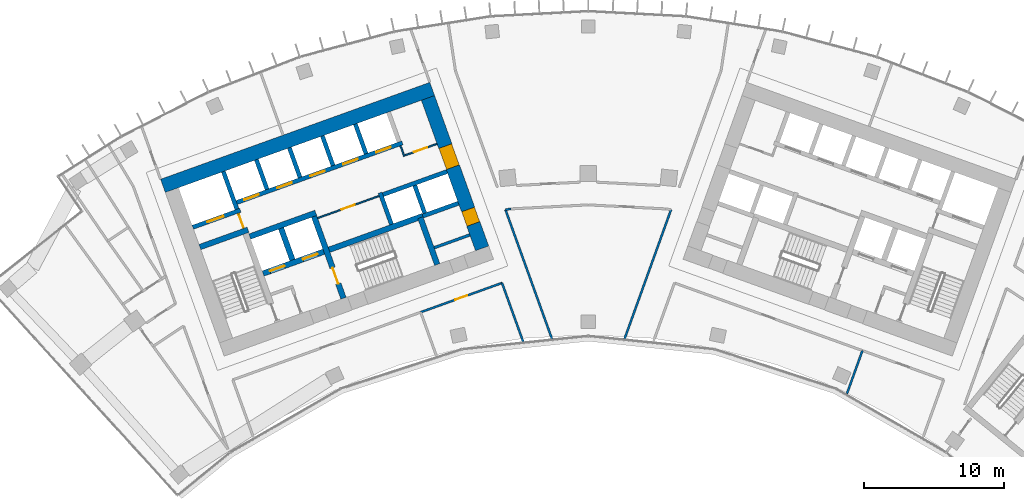
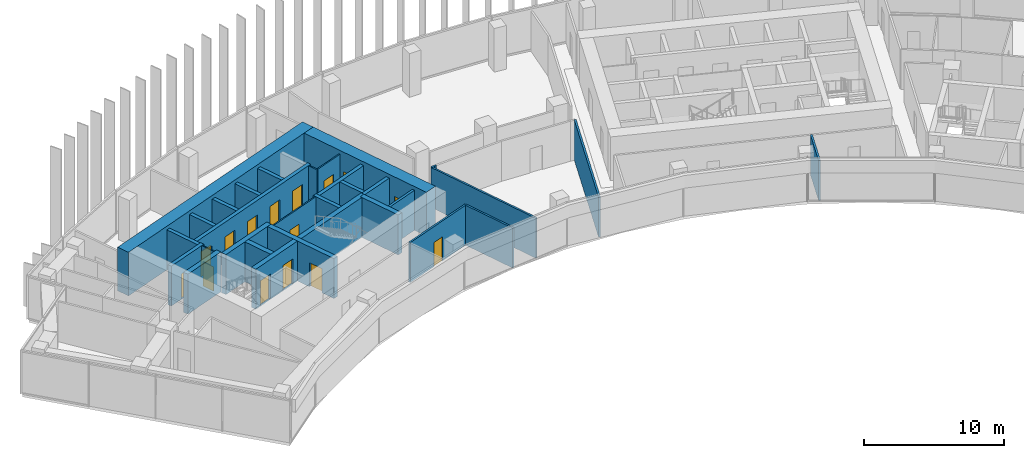
# One storey, part 14 of 19: 30 walls, 15 doors, 15 openings.
"""IFC4 building model written with IfcOpenShell, lengths in metres."""

from ifc_helpers import new_model, si_unit, direction, frame, frame_2d, origin, place, context, subcontext, project, spatial, rectangle, extrude, material, layer, layer_set, type_object, element, fill, save


model = new_model("IFC4")

# Units and contexts
model_context = context("Model", 3, precision=1e-05, world=origin(), true_north=direction((0.0, 1.0)))
body_context = subcontext(model_context, "Body", "Model", "MODEL_VIEW")
ifc_project = project(units=[si_unit("LENGTHUNIT", "METRE"), si_unit("AREAUNIT", "SQUARE_METRE"), si_unit("VOLUMEUNIT", "CUBIC_METRE"), si_unit("PLANEANGLEUNIT", "RADIAN"), si_unit("MASSUNIT", "GRAM", prefix="KILO")], contexts=[model_context])

# Site, building, storey
site_placement = place(None, origin())
site = spatial("IfcSite", under=ifc_project, at=site_placement, CompositionType="ELEMENT")
building_placement = place(site_placement, origin())
building = spatial("IfcBuilding", under=site, at=building_placement, Name="Stone Belt Terrace Tower", CompositionType="ELEMENT")
storey_placement = place(building_placement, frame((0.0, 0.0, 235.199951171875)))
storey = spatial("IfcBuildingStorey", under=building, at=storey_placement, Name="L57", CompositionType="ELEMENT", Elevation=235.199951171875)

# Wall, opening, door
ifc_material_1 = material(Name="Plasterboard partition")
ifc_layer_1 = layer(ifc_material_1, 0.10009765625)
ifc_layer_set_1 = layer_set([ifc_layer_1], Name="Core partition 100")
wall_type_1 = type_object("IfcWallType", Name="Core partition 100", PredefinedType="PARTITIONING", material=ifc_layer_set_1)
wall_1_placement = place(storey_placement, frame((-24.555908203125, 51.10400390625, 0.0), z_axis=(0.0, 0.0, 1.0), x_axis=(-0.338621735342, 0.94092258999, 0.0)))
wall_1 = element("IfcWall", 1, at=wall_1_placement, inside=storey, type_object=wall_type_1, Name="Core A wall", PredefinedType="PARTITIONING", context=body_context, shape_type="SweptSolid", body=[
    extrude(rectangle(XDim=1.14990234375, YDim=0.10009765625, at=frame_2d((0.574951171875, 0.0))), origin(), (0.0, 0.0, 1.0), 3.47998046875),
])
opening_1_placement = place(wall_1_placement, frame((0.050048828125, 0.0, 0.0)))
opening_1 = element("IfcOpeningElement", 2, at=opening_1_placement, cuts=wall_1, Name="Opening L57-C03", PredefinedType="OPENING", context=body_context, shape_type="SweptSolid", body=[
    extrude(rectangle(XDim=1.0, YDim=2.10009765625, at=frame_2d((0.5, 1.050048828125))), frame((0.0, 0.06005859375, 0.0), z_axis=(0.0, -1.0, 0.0), x_axis=(1.0, 0.0, 0.0)), (0.0, 0.0, 1.0), 0.1201171875),
])
ifc_material_2 = material(Name="Timber door leaf", Category="wood")
door_type_1 = type_object("IfcDoorType", Name="Core room door 1000", OperationType="SINGLE_SWING_LEFT", PredefinedType="DOOR", material=ifc_material_2)
door_1_placement = place(opening_1_placement, origin())
door_1 = element("IfcDoor", 3, at=door_1_placement, inside=storey, type_object=door_type_1, Name="Service lift lobby door core A", OperationType="SINGLE_SWING_LEFT", OverallHeight=2.10009765625, OverallWidth=1.0, PredefinedType="DOOR", context=body_context, shape_type="SweptSolid", body=[
    extrude(rectangle(XDim=1.0, YDim=2.10009765625, at=frame_2d((0.5, 1.050048828125))), frame((0.0, 0.02490234375, 0.0), z_axis=(0.0, -1.0, 0.0), x_axis=(1.0, 0.0, 0.0)), (0.0, 0.0, 1.0), 0.050048828125),
])
fill(opening_1, door_1)

wall_2_placement = place(storey_placement, frame((-19.29052734375, 51.829833984375, 0.0), z_axis=(0.0, 0.0, 1.0), x_axis=(0.940930240745, 0.338600475563, 0.0)))
wall_2 = element("IfcWall", 4, at=wall_2_placement, inside=storey, type_object=wall_type_1, Name="Core A wall", PredefinedType="PARTITIONING", context=body_context, shape_type="SweptSolid", body=[
    extrude(rectangle(XDim=4.64990234375, YDim=0.10009765625, at=frame_2d((2.324951171875, 0.0))), origin(), (0.0, 0.0, 1.0), 3.47998046875),
])
opening_2_placement = place(wall_2_placement, frame((1.800048828125, 0.0, 0.0)))
opening_2 = element("IfcOpeningElement", 5, at=opening_2_placement, cuts=wall_2, Name="Opening L57-C02", PredefinedType="OPENING", context=body_context, shape_type="SweptSolid", body=[
    extrude(rectangle(XDim=1.0, YDim=2.10009765625, at=frame_2d((0.5, 1.050048828125))), frame((0.0, 0.06005859375, 0.0), z_axis=(0.0, -1.0, 0.0), x_axis=(1.0, 0.0, 0.0)), (0.0, 0.0, 1.0), 0.1201171875),
])
door_2_placement = place(opening_2_placement, origin())
door_2 = element("IfcDoor", 6, at=door_2_placement, inside=storey, type_object=door_type_1, Name="Door to Print and copy room core A", OperationType="SINGLE_SWING_LEFT", OverallHeight=2.10009765625, OverallWidth=1.0, PredefinedType="DOOR", context=body_context, shape_type="SweptSolid", body=[
    extrude(rectangle(XDim=1.0, YDim=2.10009765625, at=frame_2d((0.5, 1.050048828125))), frame((0.0, 0.02490234375, 0.0), z_axis=(0.0, -1.0, 0.0), x_axis=(1.0, 0.0, 0.0)), (0.0, 0.0, 1.0), 0.050048828125),
])
fill(opening_2, door_2)

# Wall
wall_3_placement = place(storey_placement, frame((-13.115966796875, 56.230712890625, 0.0), z_axis=(0.0, 0.0, 1.0), x_axis=(-0.338481684961, 0.940972979923, 0.0)))
element("IfcWall", 7, at=wall_3_placement, inside=storey, type_object=wall_type_1, Name="Core A wall", PredefinedType="PARTITIONING", context=body_context, shape_type="SweptSolid", body=[
    extrude(rectangle(XDim=0.7998046875, YDim=0.10009765625, at=frame_2d((0.39990234375, 0.0))), origin(), (0.0, 0.0, 1.0), 3.47998046875),
])

# Wall, opening, door
wall_4_placement = place(storey_placement, frame((-13.085693359375, 56.294677734375, 0.0), z_axis=(0.0, 0.0, 1.0), x_axis=(0.940922976849, 0.338620660383, 0.0)))
wall_4 = element("IfcWall", 8, at=wall_4_placement, inside=storey, type_object=wall_type_1, Name="Core A wall", PredefinedType="PARTITIONING", context=body_context, shape_type="SweptSolid", body=[
    extrude(rectangle(XDim=2.449951171875, YDim=0.10009765625, at=frame_2d((1.22509765625, 0.0))), origin(), (0.0, 0.0, 1.0), 3.47998046875),
])
opening_3_placement = place(wall_4_placement, frame((0.699951171875, 0.0, 0.0)))
opening_3 = element("IfcOpeningElement", 9, at=opening_3_placement, cuts=wall_4, Name="Opening L57-C01", PredefinedType="OPENING", context=body_context, shape_type="SweptSolid", body=[
    extrude(rectangle(XDim=1.0, YDim=2.10009765625, at=frame_2d((0.5, 1.050048828125))), frame((0.0, 0.06005859375, 0.0), z_axis=(0.0, -1.0, 0.0), x_axis=(1.0, 0.0, 0.0)), (0.0, 0.0, 1.0), 0.1201171875),
])
door_3_placement = place(opening_3_placement, origin())
door_3 = element("IfcDoor", 10, at=door_3_placement, inside=storey, type_object=door_type_1, Name="Door to Communications hub room core A", OperationType="SINGLE_SWING_LEFT", OverallHeight=2.10009765625, OverallWidth=1.0, PredefinedType="DOOR", context=body_context, shape_type="SweptSolid", body=[
    extrude(rectangle(XDim=1.0, YDim=2.10009765625, at=frame_2d((0.5, 1.050048828125))), frame((0.0, 0.02490234375, 0.0), z_axis=(0.0, -1.0, 0.0), x_axis=(1.0, 0.0, 0.0)), (0.0, 0.0, 1.0), 0.050048828125),
])
fill(opening_3, door_3)

# Wall
ifc_material_3 = material(Name="Concrete B60", Category="concrete")
ifc_layer_2 = layer(ifc_material_3, 1.0)
ifc_layer_set_2 = layer_set([ifc_layer_2], Name="Core wall 1000 B60")
wall_type_2 = type_object("IfcWallType", Name="Core wall 1000 B60", PredefinedType="SHEAR", material=ifc_layer_set_2)
wall_5_placement = place(storey_placement, frame((-30.3212890625, 54.13037109375, 0.0), z_axis=(0.0, 0.0, 1.0), x_axis=(0.940921428504, 0.338624962727, 0.0)))
element("IfcWall", 11, at=wall_5_placement, inside=storey, type_object=wall_type_2, Name="Core A wall convex L57", PredefinedType="SHEAR", context=body_context, shape_type="SweptSolid", body=[
    extrude(rectangle(XDim=20.400146484375, YDim=1.0, at=frame_2d((10.2001953125, 0.0))), origin(), (0.0, 0.0, 1.0), 3.800048828125),
])

# Wall, openings, doors
wall_6_placement = place(storey_placement, frame((-7.567138671875, 49.672119140625, 0.0), z_axis=(0.0, 0.0, 1.0), x_axis=(-0.338625431531, 0.940921259788, 0.0)))
wall_6 = element("IfcWall", 12, at=wall_6_placement, inside=storey, type_object=wall_type_2, Name="Core A wall end_b L57", PredefinedType="SHEAR", context=body_context, shape_type="SweptSolid", body=[
    extrude(rectangle(XDim=11.400146484375, YDim=1.0, at=frame_2d((5.7001953125, 0.0))), origin(), (0.0, 0.0, 1.0), 3.800048828125),
])
opening_4_placement = place(wall_6_placement, frame((6.14990234375, 0.0, 0.0)))
opening_4 = element("IfcOpeningElement", 13, at=opening_4_placement, cuts=wall_6, Name="Opening L57-C04", PredefinedType="OPENING", context=body_context, shape_type="SweptSolid", body=[
    extrude(rectangle(XDim=1.60009765625, YDim=2.10009765625, at=frame_2d((0.800048828125, 1.050048828125))), frame((0.0, 0.510009765625, 0.0), z_axis=(0.0, -1.0, 0.0), x_axis=(1.0, 0.0, 0.0)), (0.0, 0.0, 1.0), 1.02001953125),
])
opening_5_placement = place(wall_6_placement, frame((1.85009765625, 0.0, 0.0)))
opening_5 = element("IfcOpeningElement", 14, at=opening_5_placement, cuts=wall_6, Name="Opening L57-C10", PredefinedType="OPENING", context=body_context, shape_type="SweptSolid", body=[
    extrude(rectangle(XDim=1.10009765625, YDim=2.10009765625, at=frame_2d((0.550048828125, 1.050048828125))), frame((0.0, 0.510009765625, 0.0), z_axis=(0.0, -1.0, 0.0), x_axis=(1.0, 0.0, 0.0)), (0.0, 0.0, 1.0), 1.02001953125),
])
door_type_2 = type_object("IfcDoorType", Name="Core room door 1100", OperationType="SINGLE_SWING_LEFT", PredefinedType="DOOR", material=ifc_material_2)
door_4_placement = place(opening_5_placement, origin())
door_4 = element("IfcDoor", 15, at=door_4_placement, inside=storey, type_object=door_type_2, Name="Door to Accessible WC core A", OperationType="SINGLE_SWING_RIGHT", OverallHeight=2.10009765625, OverallWidth=1.10009765625, PredefinedType="DOOR", context=body_context, shape_type="SweptSolid", body=[
    extrude(rectangle(XDim=1.10009765625, YDim=2.10009765625, at=frame_2d((0.550048828125, 1.050048828125))), frame((0.0, 0.47998046875, 0.0), z_axis=(0.0, -1.0, 0.0), x_axis=(1.0, 0.0, 0.0)), (0.0, 0.0, 1.0), 0.9599609375),
])
fill(opening_5, door_4)
ifc_material_4 = material(Name="Glazed aluminium door leaf", Category="aluminium")
door_type_3 = type_object("IfcDoorType", Name="Lift lobby entrance door 1600", OperationType="DOUBLE_DOOR_SINGLE_SWING", PredefinedType="DOOR", material=ifc_material_4)
door_5_placement = place(opening_4_placement, origin())
door_5 = element("IfcDoor", 16, at=door_5_placement, inside=storey, type_object=door_type_3, Name="Lift lobby entrance door core A", OperationType="DOUBLE_DOOR_SINGLE_SWING", OverallHeight=2.10009765625, OverallWidth=1.60009765625, PredefinedType="DOOR", context=body_context, shape_type="SweptSolid", body=[
    extrude(rectangle(XDim=1.60009765625, YDim=2.10009765625, at=frame_2d((0.800048828125, 1.050048828125))), frame((0.0, 0.47998046875, 0.0), z_axis=(0.0, -1.0, 0.0), x_axis=(1.0, 0.0, 0.0)), (0.0, 0.0, 1.0), 0.9599609375),
])
fill(opening_4, door_5)

# Walls
ifc_material_5 = material(Name="Concrete B80", Category="concrete")
ifc_layer_3 = layer(ifc_material_5, 0.39990234375)
ifc_layer_set_3 = layer_set([ifc_layer_3], Name="Fire-fighting lift shaft wall 400")
wall_type_3 = type_object("IfcWallType", Name="Fire-fighting lift shaft wall 400", PredefinedType="SHEAR", material=ifc_layer_set_3)
wall_7_placement = place(storey_placement, frame((-24.130615234375, 50.512939453125, 0.0), z_axis=(0.0, 0.0, 1.0), x_axis=(0.94091168377, 0.338652038744, 0.0)))
element("IfcWall", 17, at=wall_7_placement, inside=storey, type_object=wall_type_3, Name="Core A wall", PredefinedType="SHEAR", context=body_context, shape_type="SweptSolid", body=[
    extrude(rectangle(XDim=5.000244140625, YDim=0.39990234375, at=frame_2d((2.5, 0.0))), origin(), (0.0, 0.0, 1.0), 3.47998046875),
])
wall_8_placement = place(storey_placement, frame((-21.0859375, 48.845458984375, 0.0), z_axis=(0.0, 0.0, 1.0), x_axis=(-0.338629416206, 0.940919825745, 0.0)))
element("IfcWall", 18, at=wall_8_placement, inside=storey, type_object=wall_type_3, Name="Core A wall", PredefinedType="SHEAR", context=body_context, shape_type="SweptSolid", body=[
    extrude(rectangle(XDim=2.400146484375, YDim=0.39990234375, at=frame_2d((1.2001953125, 0.0))), origin(), (0.0, 0.0, 1.0), 3.47998046875),
])

# Wall, opening, door
ifc_layer_4 = layer(ifc_material_5, 0.300048828125)
ifc_layer_set_4 = layer_set([ifc_layer_4], Name="Lift shaft wall 300")
wall_type_4 = type_object("IfcWallType", Name="Lift shaft wall 300", PredefinedType="SHEAR", material=ifc_layer_set_4)
wall_9_placement = place(storey_placement, frame((-28.195068359375, 51.17578125, 0.0), z_axis=(0.0, 0.0, 1.0), x_axis=(0.940901243567, 0.338681044427, 0.0)))
wall_9 = element("IfcWall", 19, at=wall_9_placement, inside=storey, type_object=wall_type_4, Name="Core A wall", PredefinedType="SHEAR", context=body_context, shape_type="SweptSolid", body=[
    extrude(rectangle(XDim=3.599853515625, YDim=0.300048828125, at=frame_2d((1.7998046875, 0.0))), origin(), (0.0, 0.0, 1.0), 3.47998046875),
])
opening_6_placement = place(wall_9_placement, frame((1.1201171875, 0.0, 0.0)))
opening_6 = element("IfcOpeningElement", 20, at=opening_6_placement, cuts=wall_9, Name="Opening L57-LD08", PredefinedType="OPENING", context=body_context, shape_type="SweptSolid", body=[
    extrude(rectangle(XDim=1.199951171875, YDim=2.199951171875, at=frame_2d((0.60009765625, 1.10009765625))), frame((0.0, 0.159912109375, 0.0), z_axis=(0.0, -1.0, 0.0), x_axis=(1.0, 0.0, 0.0)), (0.0, 0.0, 1.0), 0.320068359375),
])
ifc_material_6 = material(Name="Stainless steel door leaf", Category="steel")
door_type_4 = type_object("IfcDoorType", Name="Landing door 1200", OperationType="SLIDING_TO_LEFT", PredefinedType="DOOR", material=ifc_material_6)
door_6_placement = place(opening_6_placement, origin())
door_6 = element("IfcDoor", 21, at=door_6_placement, inside=storey, type_object=door_type_4, Name="Landing door SV1 core A", OperationType="SLIDING_TO_LEFT", OverallHeight=2.199951171875, OverallWidth=1.199951171875, PredefinedType="DOOR", context=body_context, shape_type="SweptSolid", body=[
    extrude(rectangle(XDim=1.199951171875, YDim=2.199951171875, at=frame_2d((0.60009765625, 1.10009765625))), frame((0.0, 0.02490234375, 0.0), z_axis=(0.0, -1.0, 0.0), x_axis=(1.0, 0.0, 0.0)), (0.0, 0.0, 1.0), 0.050048828125),
])
fill(opening_6, door_6)

# Wall
wall_10_placement = place(storey_placement, frame((-25.046875, 52.46826171875, 0.0), z_axis=(0.0, 0.0, 1.0), x_axis=(-0.338549588058, 0.940948551423, 0.0)))
element("IfcWall", 22, at=wall_10_placement, inside=storey, type_object=wall_type_4, Name="Core A wall", PredefinedType="SHEAR", context=body_context, shape_type="SweptSolid", body=[
    extrude(rectangle(XDim=2.849853515625, YDim=0.300048828125, at=frame_2d((1.4248046875, 0.0))), origin(), (0.0, 0.0, 1.0), 3.47998046875),
])

# Wall, openings, doors
wall_11_placement = place(storey_placement, frame((-25.05810546875, 52.9423828125, 0.0), z_axis=(0.0, 0.0, 1.0), x_axis=(0.940921381676, 0.338625092847, 0.0)))
wall_11 = element("IfcWall", 23, at=wall_11_placement, inside=storey, type_object=wall_type_4, Name="Core A wall", PredefinedType="SHEAR", context=body_context, shape_type="SweptSolid", body=[
    extrude(rectangle(XDim=12.550048828125, YDim=0.300048828125, at=frame_2d((6.27490234375, 0.0))), origin(), (0.0, 0.0, 1.0), 3.47998046875),
])
opening_7_placement = place(wall_11_placement, frame((0.570068359375, 0.0, 0.0)))
opening_7 = element("IfcOpeningElement", 24, at=opening_7_placement, cuts=wall_11, Name="Opening L57-LD01", PredefinedType="OPENING", context=body_context, shape_type="SweptSolid", body=[
    extrude(rectangle(XDim=1.10009765625, YDim=2.199951171875, at=frame_2d((0.550048828125, 1.10009765625))), frame((0.0, 0.159912109375, 0.0), z_axis=(0.0, -1.0, 0.0), x_axis=(1.0, 0.0, 0.0)), (0.0, 0.0, 1.0), 0.320068359375),
])
opening_8_placement = place(wall_11_placement, frame((3.070068359375, 0.0, 0.0)))
opening_8 = element("IfcOpeningElement", 25, at=opening_8_placement, cuts=wall_11, Name="Opening L57-LD02", PredefinedType="OPENING", context=body_context, shape_type="SweptSolid", body=[
    extrude(rectangle(XDim=1.10009765625, YDim=2.199951171875, at=frame_2d((0.550048828125, 1.10009765625))), frame((0.0, 0.159912109375, 0.0), z_axis=(0.0, -1.0, 0.0), x_axis=(1.0, 0.0, 0.0)), (0.0, 0.0, 1.0), 0.320068359375),
])
opening_9_placement = place(wall_11_placement, frame((5.570068359375, 0.0, 0.0)))
opening_9 = element("IfcOpeningElement", 26, at=opening_9_placement, cuts=wall_11, Name="Opening L57-LD03", PredefinedType="OPENING", context=body_context, shape_type="SweptSolid", body=[
    extrude(rectangle(XDim=1.10009765625, YDim=2.199951171875, at=frame_2d((0.550048828125, 1.10009765625))), frame((0.0, 0.159912109375, 0.0), z_axis=(0.0, -1.0, 0.0), x_axis=(1.0, 0.0, 0.0)), (0.0, 0.0, 1.0), 0.320068359375),
])
opening_10_placement = place(wall_11_placement, frame((8.070068359375, 0.0, 0.0)))
opening_10 = element("IfcOpeningElement", 27, at=opening_10_placement, cuts=wall_11, Name="Opening L57-LD04", PredefinedType="OPENING", context=body_context, shape_type="SweptSolid", body=[
    extrude(rectangle(XDim=1.10009765625, YDim=2.199951171875, at=frame_2d((0.550048828125, 1.10009765625))), frame((0.0, 0.159912109375, 0.0), z_axis=(0.0, -1.0, 0.0), x_axis=(1.0, 0.0, 0.0)), (0.0, 0.0, 1.0), 0.320068359375),
])
opening_11_placement = place(wall_11_placement, frame((10.570068359375, 0.0, 0.0)))
opening_11 = element("IfcOpeningElement", 28, at=opening_11_placement, cuts=wall_11, Name="Opening L57-LD05", PredefinedType="OPENING", context=body_context, shape_type="SweptSolid", body=[
    extrude(rectangle(XDim=1.10009765625, YDim=2.199951171875, at=frame_2d((0.550048828125, 1.10009765625))), frame((0.0, 0.159912109375, 0.0), z_axis=(0.0, -1.0, 0.0), x_axis=(1.0, 0.0, 0.0)), (0.0, 0.0, 1.0), 0.320068359375),
])
door_type_5 = type_object("IfcDoorType", Name="Landing door 1100", OperationType="SLIDING_TO_LEFT", PredefinedType="DOOR", material=ifc_material_6)
door_7_placement = place(opening_7_placement, origin())
door_7 = element("IfcDoor", 29, at=door_7_placement, inside=storey, type_object=door_type_5, Name="Landing door MR1 core A", OperationType="SLIDING_TO_LEFT", OverallHeight=2.199951171875, OverallWidth=1.10009765625, PredefinedType="DOOR", context=body_context, shape_type="SweptSolid", body=[
    extrude(rectangle(XDim=1.10009765625, YDim=2.199951171875, at=frame_2d((0.550048828125, 1.10009765625))), frame((0.0, 0.02490234375, 0.0), z_axis=(0.0, -1.0, 0.0), x_axis=(1.0, 0.0, 0.0)), (0.0, 0.0, 1.0), 0.050048828125),
])
fill(opening_7, door_7)
door_8_placement = place(opening_8_placement, origin())
door_8 = element("IfcDoor", 30, at=door_8_placement, inside=storey, type_object=door_type_5, Name="Landing door MR2 core A", OperationType="SLIDING_TO_LEFT", OverallHeight=2.199951171875, OverallWidth=1.10009765625, PredefinedType="DOOR", context=body_context, shape_type="SweptSolid", body=[
    extrude(rectangle(XDim=1.10009765625, YDim=2.199951171875, at=frame_2d((0.550048828125, 1.10009765625))), frame((0.0, 0.02490234375, 0.0), z_axis=(0.0, -1.0, 0.0), x_axis=(1.0, 0.0, 0.0)), (0.0, 0.0, 1.0), 0.050048828125),
])
fill(opening_8, door_8)
door_9_placement = place(opening_9_placement, origin())
door_9 = element("IfcDoor", 31, at=door_9_placement, inside=storey, type_object=door_type_5, Name="Landing door MR3 core A", OperationType="SLIDING_TO_LEFT", OverallHeight=2.199951171875, OverallWidth=1.10009765625, PredefinedType="DOOR", context=body_context, shape_type="SweptSolid", body=[
    extrude(rectangle(XDim=1.10009765625, YDim=2.199951171875, at=frame_2d((0.550048828125, 1.10009765625))), frame((0.0, 0.02490234375, 0.0), z_axis=(0.0, -1.0, 0.0), x_axis=(1.0, 0.0, 0.0)), (0.0, 0.0, 1.0), 0.050048828125),
])
fill(opening_9, door_9)
door_10_placement = place(opening_10_placement, origin())
door_10 = element("IfcDoor", 32, at=door_10_placement, inside=storey, type_object=door_type_5, Name="Landing door MR4 core A", OperationType="SLIDING_TO_LEFT", OverallHeight=2.199951171875, OverallWidth=1.10009765625, PredefinedType="DOOR", context=body_context, shape_type="SweptSolid", body=[
    extrude(rectangle(XDim=1.10009765625, YDim=2.199951171875, at=frame_2d((0.550048828125, 1.10009765625))), frame((0.0, 0.02490234375, 0.0), z_axis=(0.0, -1.0, 0.0), x_axis=(1.0, 0.0, 0.0)), (0.0, 0.0, 1.0), 0.050048828125),
])
fill(opening_10, door_10)
door_11_placement = place(opening_11_placement, origin())
door_11 = element("IfcDoor", 33, at=door_11_placement, inside=storey, type_object=door_type_5, Name="Landing door MR5 core A", OperationType="SLIDING_TO_LEFT", OverallHeight=2.199951171875, OverallWidth=1.10009765625, PredefinedType="DOOR", context=body_context, shape_type="SweptSolid", body=[
    extrude(rectangle(XDim=1.10009765625, YDim=2.199951171875, at=frame_2d((0.550048828125, 1.10009765625))), frame((0.0, 0.02490234375, 0.0), z_axis=(0.0, -1.0, 0.0), x_axis=(1.0, 0.0, 0.0)), (0.0, 0.0, 1.0), 0.050048828125),
])
fill(opening_11, door_11)

# Walls
wall_12_placement = place(storey_placement, frame((-22.897705078125, 53.87939453125, 0.0), z_axis=(0.0, 0.0, 1.0), x_axis=(-0.338535034312, 0.940953787677, 0.0)))
element("IfcWall", 34, at=wall_12_placement, inside=storey, type_object=wall_type_4, Name="Core A wall", PredefinedType="SHEAR", context=body_context, shape_type="SweptSolid", body=[
    extrude(rectangle(XDim=2.25, YDim=0.300048828125, at=frame_2d((1.125, 0.0))), origin(), (0.0, 0.0, 1.0), 3.47998046875),
])
wall_13_placement = place(storey_placement, frame((-20.54541015625, 54.72607421875, 0.0), z_axis=(0.0, 0.0, 1.0), x_axis=(-0.338569601369, 0.940941350472, 0.0)))
element("IfcWall", 35, at=wall_13_placement, inside=storey, type_object=wall_type_4, Name="Core A wall", PredefinedType="SHEAR", context=body_context, shape_type="SweptSolid", body=[
    extrude(rectangle(XDim=2.249755859375, YDim=0.300048828125, at=frame_2d((1.125, 0.0))), origin(), (0.0, 0.0, 1.0), 3.47998046875),
])
wall_14_placement = place(storey_placement, frame((-18.193115234375, 55.572509765625, 0.0), z_axis=(0.0, 0.0, 1.0), x_axis=(-0.338535034312, 0.940953787677, 0.0)))
element("IfcWall", 36, at=wall_14_placement, inside=storey, type_object=wall_type_4, Name="Core A wall", PredefinedType="SHEAR", context=body_context, shape_type="SweptSolid", body=[
    extrude(rectangle(XDim=2.25, YDim=0.300048828125, at=frame_2d((1.125, 0.0))), origin(), (0.0, 0.0, 1.0), 3.47998046875),
])
wall_15_placement = place(storey_placement, frame((-14.029052734375, 51.38525390625, 0.0), z_axis=(0.0, 0.0, 1.0), x_axis=(-0.338661829791, 0.940908159728, 0.0)))
element("IfcWall", 37, at=wall_15_placement, inside=storey, type_object=wall_type_4, Name="Core A wall", PredefinedType="SHEAR", context=body_context, shape_type="SweptSolid", body=[
    extrude(rectangle(XDim=2.39990234375, YDim=0.300048828125, at=frame_2d((1.199951171875, 0.0))), origin(), (0.0, 0.0, 1.0), 3.47998046875),
])
wall_16_placement = place(storey_placement, frame((-14.6328125, 53.506103515625, 0.0), z_axis=(0.0, 0.0, 1.0), x_axis=(0.940931684323, 0.338596464007, 0.0)))
element("IfcWall", 38, at=wall_16_placement, inside=storey, type_object=wall_type_4, Name="Core A wall", PredefinedType="SHEAR", context=body_context, shape_type="SweptSolid", body=[
    extrude(rectangle(XDim=4.849609375, YDim=0.300048828125, at=frame_2d((2.4248046875, 0.0))), origin(), (0.0, 0.0, 1.0), 3.47998046875),
])
wall_17_placement = place(storey_placement, frame((-15.8408203125, 56.419189453125, 0.0), z_axis=(0.0, 0.0, 1.0), x_axis=(-0.338569601369, 0.940941350472, 0.0)))
element("IfcWall", 39, at=wall_17_placement, inside=storey, type_object=wall_type_4, Name="Core A wall", PredefinedType="SHEAR", context=body_context, shape_type="SweptSolid", body=[
    extrude(rectangle(XDim=2.249755859375, YDim=0.300048828125, at=frame_2d((1.125, 0.0))), origin(), (0.0, 0.0, 1.0), 3.47998046875),
])
wall_18_placement = place(storey_placement, frame((-11.797119140625, 51.975830078125, 0.0), z_axis=(0.0, 0.0, 1.0), x_axis=(0.940910465161, 0.33865542451, 0.0)))
element("IfcWall", 40, at=wall_18_placement, inside=storey, type_object=wall_type_4, Name="Core A wall", PredefinedType="SHEAR", context=body_context, shape_type="SweptSolid", body=[
    extrude(rectangle(XDim=2.69970703125, YDim=0.300048828125, at=frame_2d((1.349853515625, 0.0))), origin(), (0.0, 0.0, 1.0), 3.47998046875),
])
wall_19_placement = place(storey_placement, frame((-11.659912109375, 52.184814453125, 0.0), z_axis=(0.0, 0.0, 1.0), x_axis=(-0.338670064856, 0.940905195634, 0.0)))
element("IfcWall", 41, at=wall_19_placement, inside=storey, type_object=wall_type_4, Name="Core A wall", PredefinedType="SHEAR", context=body_context, shape_type="SweptSolid", body=[
    extrude(rectangle(XDim=2.099853515625, YDim=0.300048828125, at=frame_2d((1.0498046875, 0.0))), origin(), (0.0, 0.0, 1.0), 3.47998046875),
])
ifc_material_7 = material(Name="Gypsum board partition")
ifc_layer_5 = layer(ifc_material_7, 0.14990234375)
ifc_layer_set_5 = layer_set([ifc_layer_5], Name="PARTITION 150 EI 60")
wall_type_5 = type_object("IfcWallType", Name="PARTITION 150 EI 60", PredefinedType="PARTITIONING", material=ifc_layer_set_5)
wall_20_placement = place(storey_placement, frame((-4.638427734375, 43.012451171875, 0.0), z_axis=(0.0, 0.0, 1.0), x_axis=(-0.338583902482, 0.940936204522, 0.0)))
element("IfcWall", 42, at=wall_20_placement, inside=storey, type_object=wall_type_5, Name="L57/wall/i007", PredefinedType="PARTITIONING", context=body_context, shape_type="SweptSolid", body=[
    extrude(rectangle(XDim=4.464111328125, YDim=0.14990234375, at=frame_2d((2.23193359375, 0.0))), origin(), (0.0, 0.0, 1.0), 3.47998046875),
])
wall_21_placement = place(storey_placement, frame((-5.906005859375, 52.44091796875, 0.0), z_axis=(0.0, 0.0, 1.0), x_axis=(0.33864618549, -0.940913790447, 0.0)))
element("IfcWall", 43, at=wall_21_placement, inside=storey, type_object=wall_type_5, Name="L57/wall/i009", PredefinedType="PARTITIONING", context=body_context, shape_type="SweptSolid", body=[
    extrude(rectangle(XDim=9.791748046875, YDim=0.14990234375, at=frame_2d((4.89599609375, 0.0))), origin(), (0.0, 0.0, 1.0), 3.47998046875),
])

# Wall, opening, door
wall_22_placement = place(storey_placement, frame((-6.14892578125, 47.20703125, 0.0), z_axis=(0.0, 0.0, 1.0), x_axis=(-0.940917691386, -0.338635346704, 0.0)))
wall_22 = element("IfcWall", 44, at=wall_22_placement, inside=storey, type_object=wall_type_5, Name="L57/wall/i013", PredefinedType="PARTITIONING", context=body_context, shape_type="SweptSolid", body=[
    extrude(rectangle(XDim=6.166259765625, YDim=0.14990234375, at=frame_2d((3.0830078125, 0.0))), origin(), (0.0, 0.0, 1.0), 3.47998046875),
])
opening_12_placement = place(wall_22_placement, frame((2.633056640625, 0.0, 0.0)))
opening_12 = element("IfcOpeningElement", 45, at=opening_12_placement, cuts=wall_22, Name="Opening D-D4-02", PredefinedType="OPENING", context=body_context, shape_type="SweptSolid", body=[
    extrude(rectangle(XDim=0.89990234375, YDim=2.10009765625, at=frame_2d((0.449951171875, 1.050048828125))), frame((0.0, 0.0849609375, 0.0), z_axis=(0.0, -1.0, 0.0), x_axis=(1.0, 0.0, 0.0)), (0.0, 0.0, 1.0), 0.169921875),
])
door_type_6 = type_object("IfcDoorType", Name="OFFICE DOOR 900 X 2100", OperationType="NOTDEFINED", PredefinedType="DOOR", material=ifc_material_2)
door_12_placement = place(opening_12_placement, origin())
door_12 = element("IfcDoor", 46, at=door_12_placement, inside=storey, type_object=door_type_6, Name="L57/door/i02", OperationType="SINGLE_SWING_RIGHT", OverallHeight=2.10009765625, OverallWidth=0.89990234375, PredefinedType="DOOR", context=body_context, shape_type="SweptSolid", body=[
    extrude(rectangle(XDim=0.89990234375, YDim=2.10009765625, at=frame_2d((0.449951171875, 1.050048828125))), frame((0.0, 0.02490234375, 0.0), z_axis=(0.0, -1.0, 0.0), x_axis=(1.0, 0.0, 0.0)), (0.0, 0.0, 1.0), 0.050048828125),
])
fill(opening_12, door_12)

# Walls
wall_23_placement = place(storey_placement, frame((2.590087890625, 43.227783203125, 0.0), z_axis=(0.0, 0.0, 1.0), x_axis=(0.33864618549, 0.940913790447, 0.0)))
element("IfcWall", 47, at=wall_23_placement, inside=storey, type_object=wall_type_5, Name="L57/wall/i018", PredefinedType="PARTITIONING", context=body_context, shape_type="SweptSolid", body=[
    extrude(rectangle(XDim=9.791748046875, YDim=0.14990234375, at=frame_2d((4.89599609375, 0.0))), origin(), (0.0, 0.0, 1.0), 3.47998046875),
])
wall_24_placement = place(storey_placement, frame((19.547119140625, 42.385009765625, 0.0), z_axis=(0.0, 0.0, 1.0), x_axis=(-0.338737974885, -0.940880749283, 0.0)))
element("IfcWall", 48, at=wall_24_placement, inside=storey, type_object=wall_type_5, Name="L57/wall/i030", PredefinedType="PARTITIONING", context=body_context, shape_type="SweptSolid", body=[
    extrude(rectangle(XDim=3.27001953125, YDim=0.14990234375, at=frame_2d((1.635009765625, 0.0))), origin(), (0.0, 0.0, 1.0), 3.47998046875),
])
wall_25_placement = place(storey_placement, frame((-5.51611328125, 52.486083984375, 0.0), z_axis=(0.0, 0.0, 1.0), x_axis=(-0.991780421826, -0.127951533338, 0.0)))
element("IfcWall", 49, at=wall_25_placement, inside=storey, type_object=wall_type_5, Name="L57/wall/i069", PredefinedType="PARTITIONING", context=body_context, shape_type="SweptSolid", body=[
    extrude(rectangle(XDim=0.39111328125, YDim=0.14990234375, at=frame_2d((0.195556640625, 0.0))), origin(), (0.0, 0.0, 1.0), 3.47998046875),
])
ifc_material_8 = material(Name="Concrete masonry block", Category="masonry")
ifc_layer_6 = layer(ifc_material_8, 0.199951171875)
ifc_layer_set_6 = layer_set([ifc_layer_6], Name="Rated lobby wall 200")
wall_type_6 = type_object("IfcWallType", Name="Rated lobby wall 200", PredefinedType="PARTITIONING", material=ifc_layer_set_6)
wall_26_placement = place(storey_placement, frame((-10.984619140625, 49.717529296875, 0.0), z_axis=(0.0, 0.0, 1.0), x_axis=(0.940920834877, 0.338626612206, 0.0)))
element("IfcWall", 50, at=wall_26_placement, inside=storey, type_object=wall_type_6, Name="Core A wall", PredefinedType="PARTITIONING", context=body_context, shape_type="SweptSolid", body=[
    extrude(rectangle(XDim=2.699951171875, YDim=0.199951171875, at=frame_2d((1.35009765625, 0.0))), origin(), (0.0, 0.0, 1.0), 3.47998046875),
])
ifc_layer_7 = layer(ifc_material_5, 0.39990234375)
ifc_layer_set_7 = layer_set([ifc_layer_7], Name="Stair enclosure wall 400")
wall_type_7 = type_object("IfcWallType", Name="Stair enclosure wall 400", PredefinedType="SHEAR", material=ifc_layer_set_7)
wall_27_placement = place(storey_placement, frame((-27.687255859375, 49.764404296875, 0.0), z_axis=(0.0, 0.0, 1.0), x_axis=(0.940918954884, 0.338631835981, 0.0)))
element("IfcWall", 51, at=wall_27_placement, inside=storey, type_object=wall_type_7, Name="Core A wall", PredefinedType="SHEAR", context=body_context, shape_type="SweptSolid", body=[
    extrude(rectangle(XDim=3.650146484375, YDim=0.39990234375, at=frame_2d((1.8251953125, 0.0))), origin(), (0.0, 0.0, 1.0), 3.47998046875),
])

# Wall, openings, doors
wall_28_placement = place(storey_placement, frame((-23.182373046875, 47.87841796875, 0.0), z_axis=(0.0, 0.0, 1.0), x_axis=(0.940921101762, 0.338625870628, 0.0)))
wall_28 = element("IfcWall", 52, at=wall_28_placement, inside=storey, type_object=wall_type_7, Name="Core A wall", PredefinedType="SHEAR", context=body_context, shape_type="SweptSolid", body=[
    extrude(rectangle(XDim=12.10009765625, YDim=0.39990234375, at=frame_2d((6.050048828125, 0.0))), origin(), (0.0, 0.0, 1.0), 3.47998046875),
])
opening_13_placement = place(wall_28_placement, frame((0.52001953125, 0.0, 0.0)))
opening_13 = element("IfcOpeningElement", 53, at=opening_13_placement, cuts=wall_28, Name="Opening L57-LD06", PredefinedType="OPENING", context=body_context, shape_type="SweptSolid", body=[
    extrude(rectangle(XDim=1.10009765625, YDim=2.199951171875, at=frame_2d((0.550048828125, 1.10009765625))), frame((0.0, 0.2099609375, 0.0), z_axis=(0.0, -1.0, 0.0), x_axis=(1.0, 0.0, 0.0)), (0.0, 0.0, 1.0), 0.419921875),
])
opening_14_placement = place(wall_28_placement, frame((3.02001953125, 0.0, 0.0)))
opening_14 = element("IfcOpeningElement", 54, at=opening_14_placement, cuts=wall_28, Name="Opening L57-LD07", PredefinedType="OPENING", context=body_context, shape_type="SweptSolid", body=[
    extrude(rectangle(XDim=1.10009765625, YDim=2.199951171875, at=frame_2d((0.550048828125, 1.10009765625))), frame((0.0, 0.2099609375, 0.0), z_axis=(0.0, -1.0, 0.0), x_axis=(1.0, 0.0, 0.0)), (0.0, 0.0, 1.0), 0.419921875),
])
door_13_placement = place(opening_13_placement, origin())
door_13 = element("IfcDoor", 55, at=door_13_placement, inside=storey, type_object=door_type_5, Name="Landing door FF1 core A", OperationType="SLIDING_TO_LEFT", OverallHeight=2.199951171875, OverallWidth=1.10009765625, PredefinedType="DOOR", context=body_context, shape_type="SweptSolid", body=[
    extrude(rectangle(XDim=1.10009765625, YDim=2.199951171875, at=frame_2d((0.550048828125, 1.10009765625))), frame((0.0, 0.02490234375, 0.0), z_axis=(0.0, -1.0, 0.0), x_axis=(1.0, 0.0, 0.0)), (0.0, 0.0, 1.0), 0.050048828125),
])
fill(opening_13, door_13)
door_14_placement = place(opening_14_placement, origin())
door_14 = element("IfcDoor", 56, at=door_14_placement, inside=storey, type_object=door_type_5, Name="Landing door FF2 core A", OperationType="SLIDING_TO_LEFT", OverallHeight=2.199951171875, OverallWidth=1.10009765625, PredefinedType="DOOR", context=body_context, shape_type="SweptSolid", body=[
    extrude(rectangle(XDim=1.10009765625, YDim=2.199951171875, at=frame_2d((0.550048828125, 1.10009765625))), frame((0.0, 0.02490234375, 0.0), z_axis=(0.0, -1.0, 0.0), x_axis=(1.0, 0.0, 0.0)), (0.0, 0.0, 1.0), 0.050048828125),
])
fill(opening_14, door_14)

# Wall, opening, door
wall_29_placement = place(storey_placement, frame((-17.447021484375, 46.116455078125, 0.0), z_axis=(0.0, 0.0, 1.0), x_axis=(-0.33860791464, 0.940927563707, 0.0)))
wall_29 = element("IfcWall", 57, at=wall_29_placement, inside=storey, type_object=wall_type_7, Name="Core A wall", PredefinedType="SHEAR", context=body_context, shape_type="SweptSolid", body=[
    extrude(rectangle(XDim=6.199951171875, YDim=0.39990234375, at=frame_2d((3.10009765625, 0.0))), origin(), (0.0, 0.0, 1.0), 3.47998046875),
])
opening_15_placement = place(wall_29_placement, frame((1.10009765625, 0.0, 0.0)))
opening_15 = element("IfcOpeningElement", 58, at=opening_15_placement, cuts=wall_29, Name="Opening L57-C08", PredefinedType="OPENING", context=body_context, shape_type="SweptSolid", body=[
    extrude(rectangle(XDim=1.199951171875, YDim=2.10009765625, at=frame_2d((0.60009765625, 1.050048828125))), frame((0.0, 0.2099609375, 0.0), z_axis=(0.0, -1.0, 0.0), x_axis=(1.0, 0.0, 0.0)), (0.0, 0.0, 1.0), 0.419921875),
])
ifc_material_9 = material(Name="Steel door leaf", Category="steel")
door_type_7 = type_object("IfcDoorType", Name="Stair door 1200", OperationType="SINGLE_SWING_LEFT", PredefinedType="DOOR", material=ifc_material_9)
door_15_placement = place(opening_15_placement, origin())
door_15 = element("IfcDoor", 59, at=door_15_placement, inside=storey, type_object=door_type_7, Name="Stair 2 door core A", OperationType="SINGLE_SWING_LEFT", OverallHeight=2.10009765625, OverallWidth=1.199951171875, PredefinedType="DOOR", context=body_context, shape_type="SweptSolid", body=[
    extrude(rectangle(XDim=1.199951171875, YDim=2.10009765625, at=frame_2d((0.60009765625, 1.050048828125))), frame((0.0, 0.02490234375, 0.0), z_axis=(0.0, -1.0, 0.0), x_axis=(1.0, 0.0, 0.0)), (0.0, 0.0, 1.0), 0.050048828125),
])
fill(opening_15, door_15)

# Wall
wall_30_placement = place(storey_placement, frame((-10.766357421875, 48.520751953125, 0.0), z_axis=(0.0, 0.0, 1.0), x_axis=(-0.338626928157, 0.94092072117, 0.0)))
element("IfcWall", 60, at=wall_30_placement, inside=storey, type_object=wall_type_7, Name="Core A wall", PredefinedType="SHEAR", context=body_context, shape_type="SweptSolid", body=[
    extrude(rectangle(XDim=3.550048828125, YDim=0.39990234375, at=frame_2d((1.77490234375, 0.0))), origin(), (0.0, 0.0, 1.0), 3.47998046875),
])

save(model, "model.ifc")
